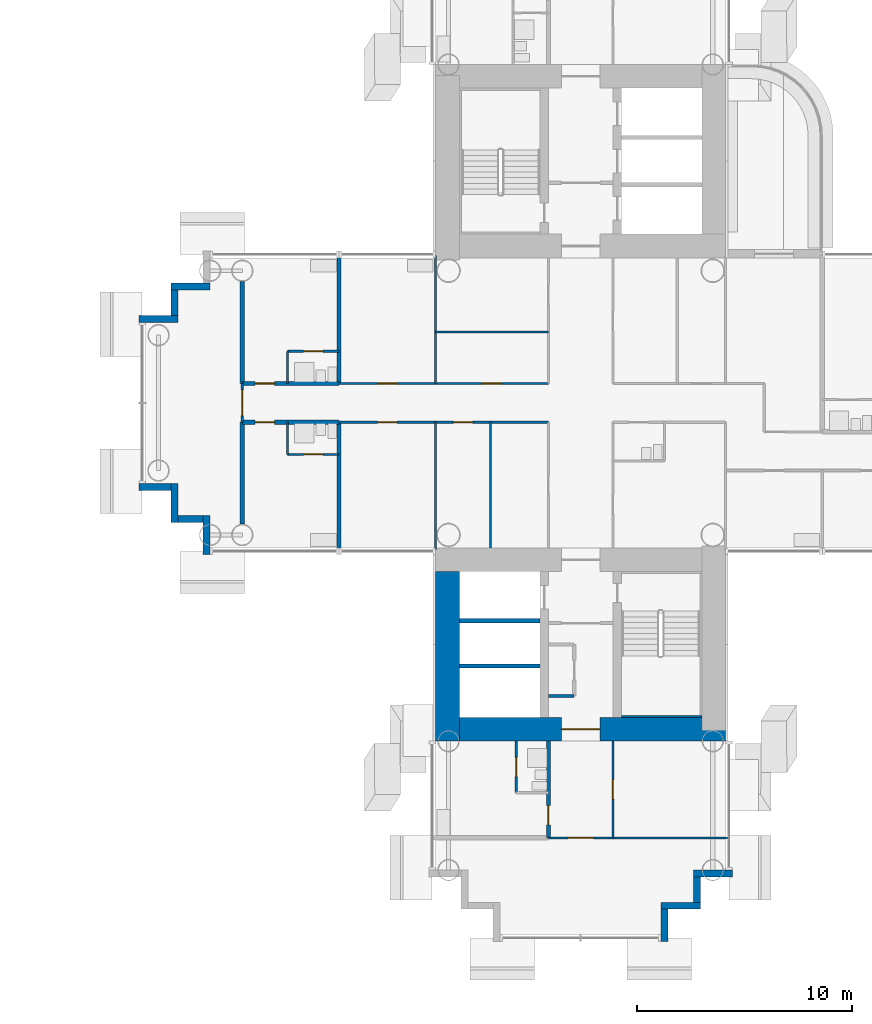
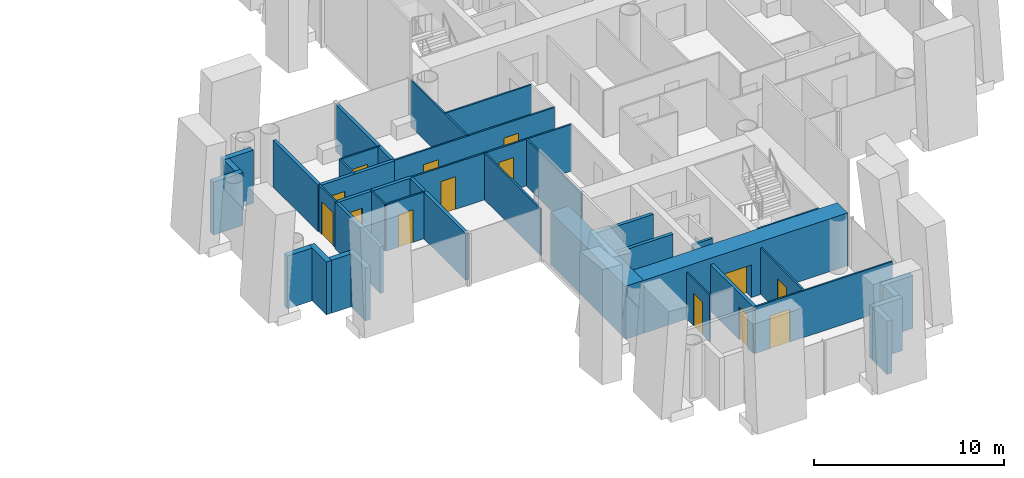
# One storey, part 14 of 24: 38 walls, 14 doors, 14 openings.
"""IFC4 building model written with IfcOpenShell, lengths in metres."""

from ifc_helpers import new_model, si_unit, direction, frame, frame_2d, origin, place, context, subcontext, project, spatial, rectangle, extrude, material, layer, layer_set, type_object, element, fill, save


model = new_model("IFC4")

# Units and contexts
model_context = context("Model", 3, precision=1e-05, world=origin(), true_north=direction((0.0, 1.0)))
body_context = subcontext(model_context, "Body", "Model", "MODEL_VIEW")
ifc_project = project(units=[si_unit("LENGTHUNIT", "METRE"), si_unit("AREAUNIT", "SQUARE_METRE"), si_unit("VOLUMEUNIT", "CUBIC_METRE"), si_unit("PLANEANGLEUNIT", "RADIAN"), si_unit("MASSUNIT", "GRAM", prefix="KILO")], contexts=[model_context])

# Site, building, storey
site_placement = place(None, origin())
site = spatial("IfcSite", under=ifc_project, at=site_placement, CompositionType="ELEMENT")
building_placement = place(site_placement, origin())
building = spatial("IfcBuilding", under=site, at=building_placement, Name="Ipe Terrace Towers", CompositionType="ELEMENT")
storey_placement = place(building_placement, frame((0.0, 0.0, 38.10009765625)))
storey = spatial("IfcBuildingStorey", under=building, at=storey_placement, Name="L09", CompositionType="ELEMENT", Elevation=38.10009765625)

# Walls
ifc_material_1 = material(Name="Concrete C40/50 with buff precast cladding", Category="concrete")
ifc_layer_1 = layer(ifc_material_1, 0.320068359375)
ifc_layer_set_1 = layer_set([ifc_layer_1], Name="BUFF CLADDING WALL 320")
wall_type_1 = type_object("IfcWallType", Name="BUFF CLADDING WALL 320", PredefinedType="STANDARD", material=ifc_layer_set_1)
wall_1_placement = place(storey_placement, frame((39.909912109375, -25.070068359375, -0.300048828125), z_axis=(0.0, 0.0, 1.0), x_axis=(0.0, 1.0, 0.0)))
element("IfcWall", 1, at=wall_1_placement, inside=storey, type_object=wall_type_1, Name="T2-W-L09-00a wall", PredefinedType="STANDARD", context=body_context, shape_type="SweptSolid", body=[
    extrude(rectangle(XDim=1.5, YDim=0.320068359375, at=frame_2d((0.75, 0.0))), origin(), (0.0, 0.0, 1.0), 3.39990234375),
])
wall_2_placement = place(storey_placement, frame((39.75, -23.409912109375, -0.300048828125), z_axis=(0.0, 0.0, 1.0), x_axis=(1.0, 0.0, 0.0)))
element("IfcWall", 2, at=wall_2_placement, inside=storey, type_object=wall_type_1, Name="T2-W-L09-01a wall", PredefinedType="STANDARD", context=body_context, shape_type="SweptSolid", body=[
    extrude(rectangle(XDim=1.820068359375, YDim=0.320068359375, at=frame_2d((0.91015625, 0.0))), origin(), (0.0, 0.0, 1.0), 3.39990234375),
])
wall_3_placement = place(storey_placement, frame((41.409912109375, -23.25, -0.300048828125), z_axis=(0.0, 0.0, 1.0), x_axis=(0.0, 1.0, 0.0)))
element("IfcWall", 3, at=wall_3_placement, inside=storey, type_object=wall_type_1, Name="T2-W-L09-02a wall", PredefinedType="STANDARD", context=body_context, shape_type="SweptSolid", body=[
    extrude(rectangle(XDim=1.179931640625, YDim=0.320068359375, at=frame_2d((0.58984375, 0.0))), origin(), (0.0, 0.0, 1.0), 3.39990234375),
])
for number, where, z_axis, x_axis, name in (
    (4, (41.25, -21.909912109375, -0.300048828125), (0.0, 0.0, 1.0), (1.0, 0.0, 0.0), "T2-W-L09-03a wall"),
    (5, (18.75, 5.409912109375, -0.300048828125), (0.0, 0.0, 1.0), (-1.0, 0.0, 0.0), "T2-W-L09-35a wall"),
):
    element("IfcWall", number, at=place(storey_placement, frame(where, z_axis=z_axis, x_axis=x_axis)), inside=storey, type_object=wall_type_1, Name=name, PredefinedType="STANDARD", context=body_context, shape_type="SweptSolid", body=[
        extrude(rectangle(XDim=1.820068359375, YDim=0.320068359375, at=frame_2d((0.91015625, 0.0))), origin(), (0.0, 0.0, 1.0), 3.39990234375),
    ])
wall_4_placement = place(storey_placement, frame((17.090087890625, 5.25, -0.300048828125), z_axis=(0.0, 0.0, 1.0), x_axis=(0.0, -1.0, 0.0)))
element("IfcWall", 6, at=wall_4_placement, inside=storey, type_object=wall_type_1, Name="T2-W-L09-36a wall", PredefinedType="STANDARD", context=body_context, shape_type="SweptSolid", body=[
    extrude(rectangle(XDim=1.179931640625, YDim=0.320068359375, at=frame_2d((0.58984375, 0.0))), origin(), (0.0, 0.0, 1.0), 3.39990234375),
])
wall_5_placement = place(storey_placement, frame((17.25, 3.909912109375, -0.300048828125), z_axis=(0.0, 0.0, 1.0), x_axis=(-1.0, 0.0, 0.0)))
element("IfcWall", 7, at=wall_5_placement, inside=storey, type_object=wall_type_1, Name="T2-W-L09-37a wall", PredefinedType="STANDARD", context=body_context, shape_type="SweptSolid", body=[
    extrude(rectangle(XDim=1.820068359375, YDim=0.320068359375, at=frame_2d((0.91015625, 0.0))), origin(), (0.0, 0.0, 1.0), 3.39990234375),
])
wall_6_placement = place(storey_placement, frame((15.429931640625, -3.909912109375, -0.300048828125), z_axis=(0.0, 0.0, 1.0), x_axis=(1.0, 0.0, 0.0)))
element("IfcWall", 8, at=wall_6_placement, inside=storey, type_object=wall_type_1, Name="T2-W-L09-39a wall", PredefinedType="STANDARD", context=body_context, shape_type="SweptSolid", body=[
    extrude(rectangle(XDim=1.5, YDim=0.320068359375, at=frame_2d((0.75, 0.0))), origin(), (0.0, 0.0, 1.0), 3.39990234375),
])
wall_7_placement = place(storey_placement, frame((17.090087890625, -3.75, -0.300048828125), z_axis=(0.0, 0.0, 1.0), x_axis=(0.0, -1.0, 0.0)))
element("IfcWall", 9, at=wall_7_placement, inside=storey, type_object=wall_type_1, Name="T2-W-L09-40a wall", PredefinedType="STANDARD", context=body_context, shape_type="SweptSolid", body=[
    extrude(rectangle(XDim=1.820068359375, YDim=0.320068359375, at=frame_2d((0.91015625, 0.0))), origin(), (0.0, 0.0, 1.0), 3.39990234375),
])
wall_8_placement = place(storey_placement, frame((17.25, -5.409912109375, -0.300048828125), z_axis=(0.0, 0.0, 1.0), x_axis=(1.0, 0.0, 0.0)))
element("IfcWall", 10, at=wall_8_placement, inside=storey, type_object=wall_type_1, Name="T2-W-L09-41a wall", PredefinedType="STANDARD", context=body_context, shape_type="SweptSolid", body=[
    extrude(rectangle(XDim=1.179931640625, YDim=0.320068359375, at=frame_2d((0.58984375, 0.0))), origin(), (0.0, 0.0, 1.0), 3.39990234375),
])
wall_9_placement = place(storey_placement, frame((18.590087890625, -5.25, -0.300048828125), z_axis=(0.0, 0.0, 1.0), x_axis=(0.0, -1.0, 0.0)))
element("IfcWall", 11, at=wall_9_placement, inside=storey, type_object=wall_type_1, Name="T2-W-L09-42a wall", PredefinedType="STANDARD", context=body_context, shape_type="SweptSolid", body=[
    extrude(rectangle(XDim=1.820068359375, YDim=0.320068359375, at=frame_2d((0.91015625, 0.0))), origin(), (0.0, 0.0, 1.0), 3.39990234375),
])

# Wall, opening, door
ifc_material_2 = material(Name="Gypsum board partition", Category="plasterboard")
ifc_layer_2 = layer(ifc_material_2, 0.10009765625)
ifc_layer_set_2 = layer_set([ifc_layer_2], Name="Gypsum board partition 100 mm")
wall_type_2 = type_object("IfcWallType", Name="Gypsum board partition 100 mm", PredefinedType="PARTITIONING", material=ifc_layer_set_2)
wall_10_placement = place(storey_placement, frame((42.85009765625, -20.25, 0.0), z_axis=(0.0, 0.0, 1.0), x_axis=(-1.0, 0.0, 0.0)))
wall_10 = element("IfcWall", 12, at=wall_10_placement, inside=storey, type_object=wall_type_2, Name="Gypsum board partition T2 L09 W01", PredefinedType="PARTITIONING", context=body_context, shape_type="SweptSolid", body=[
    extrude(rectangle(XDim=8.35009765625, YDim=0.10009765625, at=frame_2d((4.175048828125, 0.0))), origin(), (0.0, 0.0, 1.0), 3.0),
])
opening_1_placement = place(wall_10_placement, frame((6.25, 0.0, 0.0)))
opening_1 = element("IfcOpeningElement", 13, at=opening_1_placement, cuts=wall_10, Name="Opening T2-Z1B-33", PredefinedType="OPENING", context=body_context, shape_type="SweptSolid", body=[
    extrude(rectangle(XDim=1.199951171875, YDim=2.10009765625, at=frame_2d((0.60009765625, 1.050048828125))), frame((0.0, 0.06005859375, 0.0), z_axis=(0.0, -1.0, 0.0), x_axis=(1.0, 0.0, 0.0)), (0.0, 0.0, 1.0), 0.1201171875),
])
ifc_material_3 = material(Name="Timber door leaf", Category="wood")
door_type_1 = type_object("IfcDoorType", Name="Lounge door 1200 x 2100", OperationType="NOTDEFINED", PredefinedType="DOOR", material=ifc_material_3)
door_1_placement = place(opening_1_placement, origin())
door_1 = element("IfcDoor", 14, at=door_1_placement, inside=storey, type_object=door_type_1, Name="Lounge door T2-Z1B-33", OperationType="SINGLE_SWING_LEFT", OverallHeight=2.10009765625, OverallWidth=1.199951171875, PredefinedType="DOOR", context=body_context, shape_type="SweptSolid", body=[
    extrude(rectangle(XDim=1.199951171875, YDim=2.10009765625, at=frame_2d((0.60009765625, 1.050048828125))), frame((0.0, 0.02490234375, 0.0), z_axis=(0.0, -1.0, 0.0), x_axis=(1.0, 0.0, 0.0)), (0.0, 0.0, 1.0), 0.050048828125),
])
fill(opening_1, door_1)

wall_11_placement = place(storey_placement, frame((24.75, -2.39990234375, 0.0), z_axis=(0.0, 0.0, 1.0), x_axis=(-1.0, 0.0, 0.0)))
wall_11 = element("IfcWall", 15, at=wall_11_placement, inside=storey, type_object=wall_type_2, Name="Gypsum board partition T2 L09 W06", PredefinedType="PARTITIONING", context=body_context, shape_type="SweptSolid", body=[
    extrude(rectangle(XDim=2.39990234375, YDim=0.10009765625, at=frame_2d((1.199951171875, 0.0))), origin(), (0.0, 0.0, 1.0), 3.0),
])
opening_2_placement = place(wall_11_placement, frame((0.75, 0.0, 0.0)))
opening_2 = element("IfcOpeningElement", 16, at=opening_2_placement, cuts=wall_11, Name="Opening T2-Z1B-11", PredefinedType="OPENING", context=body_context, shape_type="SweptSolid", body=[
    extrude(rectangle(XDim=0.89990234375, YDim=2.10009765625, at=frame_2d((0.449951171875, 1.050048828125))), frame((0.0, 0.06005859375, 0.0), z_axis=(0.0, -1.0, 0.0), x_axis=(1.0, 0.0, 0.0)), (0.0, 0.0, 1.0), 0.1201171875),
])
ifc_material_4 = material(Name="Timber door leaf", Category="wood")
door_type_2 = type_object("IfcDoorType", Name="Bathroom door 900 x 2100", OperationType="NOTDEFINED", PredefinedType="DOOR", material=ifc_material_4)
door_2_placement = place(opening_2_placement, origin())
door_2 = element("IfcDoor", 17, at=door_2_placement, inside=storey, type_object=door_type_2, Name="Bathroom door T2-Z1B-11", OperationType="SINGLE_SWING_LEFT", OverallHeight=2.10009765625, OverallWidth=0.89990234375, PredefinedType="DOOR", context=body_context, shape_type="SweptSolid", body=[
    extrude(rectangle(XDim=0.89990234375, YDim=2.10009765625, at=frame_2d((0.449951171875, 1.050048828125))), frame((0.0, 0.02490234375, 0.0), z_axis=(0.0, -1.0, 0.0), x_axis=(1.0, 0.0, 0.0)), (0.0, 0.0, 1.0), 0.050048828125),
])
fill(opening_2, door_2)

# Wall, openings, doors
wall_12_placement = place(storey_placement, frame((34.5, -0.89990234375, 0.0), z_axis=(0.0, 0.0, 1.0), x_axis=(-1.0, 0.0, 0.0)))
wall_12 = element("IfcWall", 18, at=wall_12_placement, inside=storey, type_object=wall_type_2, Name="Gypsum board partition T2 L09 W10", PredefinedType="PARTITIONING", context=body_context, shape_type="SweptSolid", body=[
    extrude(rectangle(XDim=9.75, YDim=0.10009765625, at=frame_2d((4.875, 0.0))), origin(), (0.0, 0.0, 1.0), 3.0),
])
opening_3_placement = place(wall_12_placement, frame((3.52490234375, 0.0, 0.0)))
opening_3 = element("IfcOpeningElement", 19, at=opening_3_placement, cuts=wall_12, Name="Opening T2-Z1B-05", PredefinedType="OPENING", context=body_context, shape_type="SweptSolid", body=[
    extrude(rectangle(XDim=0.89990234375, YDim=2.10009765625, at=frame_2d((0.449951171875, 1.050048828125))), frame((0.0, 0.06005859375, 0.0), z_axis=(0.0, -1.0, 0.0), x_axis=(1.0, 0.0, 0.0)), (0.0, 0.0, 1.0), 0.1201171875),
])
opening_4_placement = place(wall_12_placement, frame((7.050048828125, 0.0, 0.0)))
opening_4 = element("IfcOpeningElement", 20, at=opening_4_placement, cuts=wall_12, Name="Opening T2-Z1B-09", PredefinedType="OPENING", context=body_context, shape_type="SweptSolid", body=[
    extrude(rectangle(XDim=0.89990234375, YDim=2.10009765625, at=frame_2d((0.449951171875, 1.050048828125))), frame((0.0, 0.06005859375, 0.0), z_axis=(0.0, -1.0, 0.0), x_axis=(1.0, 0.0, 0.0)), (0.0, 0.0, 1.0), 0.1201171875),
])
ifc_material_5 = material(Name="Timber door leaf", Category="wood")
door_type_3 = type_object("IfcDoorType", Name="Lounge door 900 x 2100", OperationType="NOTDEFINED", PredefinedType="DOOR", material=ifc_material_5)
door_3_placement = place(opening_3_placement, origin())
door_3 = element("IfcDoor", 21, at=door_3_placement, inside=storey, type_object=door_type_3, Name="Lounge door T2-Z1B-05", OperationType="SINGLE_SWING_RIGHT", OverallHeight=2.10009765625, OverallWidth=0.89990234375, PredefinedType="DOOR", context=body_context, shape_type="SweptSolid", body=[
    extrude(rectangle(XDim=0.89990234375, YDim=2.10009765625, at=frame_2d((0.449951171875, 1.050048828125))), frame((0.0, 0.02490234375, 0.0), z_axis=(0.0, -1.0, 0.0), x_axis=(1.0, 0.0, 0.0)), (0.0, 0.0, 1.0), 0.050048828125),
])
fill(opening_3, door_3)
door_4_placement = place(opening_4_placement, origin())
door_4 = element("IfcDoor", 22, at=door_4_placement, inside=storey, type_object=door_type_3, Name="Lounge door T2-Z1B-09", OperationType="SINGLE_SWING_LEFT", OverallHeight=2.10009765625, OverallWidth=0.89990234375, PredefinedType="DOOR", context=body_context, shape_type="SweptSolid", body=[
    extrude(rectangle(XDim=0.89990234375, YDim=2.10009765625, at=frame_2d((0.449951171875, 1.050048828125))), frame((0.0, 0.02490234375, 0.0), z_axis=(0.0, -1.0, 0.0), x_axis=(1.0, 0.0, 0.0)), (0.0, 0.0, 1.0), 0.050048828125),
])
fill(opening_4, door_4)

wall_13_placement = place(storey_placement, frame((34.5, 0.89990234375, 0.0), z_axis=(0.0, 0.0, 1.0), x_axis=(-1.0, 0.0, 0.0)))
wall_13 = element("IfcWall", 23, at=wall_13_placement, inside=storey, type_object=wall_type_2, Name="Gypsum board partition T2 L09 W14", PredefinedType="PARTITIONING", context=body_context, shape_type="SweptSolid", body=[
    extrude(rectangle(XDim=9.75, YDim=0.10009765625, at=frame_2d((4.875, 0.0))), origin(), (0.0, 0.0, 1.0), 3.0),
])
opening_5_placement = place(wall_13_placement, frame((2.175048828125, 0.0, 0.0)))
opening_5 = element("IfcOpeningElement", 24, at=opening_5_placement, cuts=wall_13, Name="Opening T2-Z1B-02", PredefinedType="OPENING", context=body_context, shape_type="SweptSolid", body=[
    extrude(rectangle(XDim=0.89990234375, YDim=2.10009765625, at=frame_2d((0.449951171875, 1.050048828125))), frame((0.0, 0.06005859375, 0.0), z_axis=(0.0, -1.0, 0.0), x_axis=(1.0, 0.0, 0.0)), (0.0, 0.0, 1.0), 0.1201171875),
])
opening_6_placement = place(wall_13_placement, frame((7.050048828125, 0.0, 0.0)))
opening_6 = element("IfcOpeningElement", 25, at=opening_6_placement, cuts=wall_13, Name="Opening T2-Z1B-12", PredefinedType="OPENING", context=body_context, shape_type="SweptSolid", body=[
    extrude(rectangle(XDim=0.89990234375, YDim=2.10009765625, at=frame_2d((0.449951171875, 1.050048828125))), frame((0.0, 0.06005859375, 0.0), z_axis=(0.0, -1.0, 0.0), x_axis=(1.0, 0.0, 0.0)), (0.0, 0.0, 1.0), 0.1201171875),
])
door_5_placement = place(opening_5_placement, origin())
door_5 = element("IfcDoor", 26, at=door_5_placement, inside=storey, type_object=door_type_3, Name="Lounge door T2-Z1B-02", OperationType="SINGLE_SWING_LEFT", OverallHeight=2.10009765625, OverallWidth=0.89990234375, PredefinedType="DOOR", context=body_context, shape_type="SweptSolid", body=[
    extrude(rectangle(XDim=0.89990234375, YDim=2.10009765625, at=frame_2d((0.449951171875, 1.050048828125))), frame((0.0, 0.02490234375, 0.0), z_axis=(0.0, -1.0, 0.0), x_axis=(1.0, 0.0, 0.0)), (0.0, 0.0, 1.0), 0.050048828125),
])
fill(opening_5, door_5)
door_6_placement = place(opening_6_placement, origin())
door_6 = element("IfcDoor", 27, at=door_6_placement, inside=storey, type_object=door_type_3, Name="Lounge door T2-Z1B-12", OperationType="SINGLE_SWING_RIGHT", OverallHeight=2.10009765625, OverallWidth=0.89990234375, PredefinedType="DOOR", context=body_context, shape_type="SweptSolid", body=[
    extrude(rectangle(XDim=0.89990234375, YDim=2.10009765625, at=frame_2d((0.449951171875, 1.050048828125))), frame((0.0, 0.02490234375, 0.0), z_axis=(0.0, -1.0, 0.0), x_axis=(1.0, 0.0, 0.0)), (0.0, 0.0, 1.0), 0.050048828125),
])
fill(opening_6, door_6)

# Wall, opening, door
wall_14_placement = place(storey_placement, frame((24.75, 2.39990234375, 0.0), z_axis=(0.0, 0.0, 1.0), x_axis=(-1.0, 0.0, 0.0)))
wall_14 = element("IfcWall", 28, at=wall_14_placement, inside=storey, type_object=wall_type_2, Name="Gypsum board partition T2 L09 W16", PredefinedType="PARTITIONING", context=body_context, shape_type="SweptSolid", body=[
    extrude(rectangle(XDim=2.39990234375, YDim=0.10009765625, at=frame_2d((1.199951171875, 0.0))), origin(), (0.0, 0.0, 1.0), 3.0),
])
opening_7_placement = place(wall_14_placement, frame((0.75, 0.0, 0.0)))
opening_7 = element("IfcOpeningElement", 29, at=opening_7_placement, cuts=wall_14, Name="Opening T2-Z1B-14", PredefinedType="OPENING", context=body_context, shape_type="SweptSolid", body=[
    extrude(rectangle(XDim=0.89990234375, YDim=2.10009765625, at=frame_2d((0.449951171875, 1.050048828125))), frame((0.0, 0.06005859375, 0.0), z_axis=(0.0, -1.0, 0.0), x_axis=(1.0, 0.0, 0.0)), (0.0, 0.0, 1.0), 0.1201171875),
])
door_7_placement = place(opening_7_placement, origin())
door_7 = element("IfcDoor", 30, at=door_7_placement, inside=storey, type_object=door_type_2, Name="Bathroom door T2-Z1B-14", OperationType="SINGLE_SWING_RIGHT", OverallHeight=2.10009765625, OverallWidth=0.89990234375, PredefinedType="DOOR", context=body_context, shape_type="SweptSolid", body=[
    extrude(rectangle(XDim=0.89990234375, YDim=2.10009765625, at=frame_2d((0.449951171875, 1.050048828125))), frame((0.0, 0.02490234375, 0.0), z_axis=(0.0, -1.0, 0.0), x_axis=(1.0, 0.0, 0.0)), (0.0, 0.0, 1.0), 0.050048828125),
])
fill(opening_7, door_7)

# Wall
wall_15_placement = place(storey_placement, frame((34.5, 3.300048828125, 0.0), z_axis=(0.0, 0.0, 1.0), x_axis=(-1.0, 0.0, 0.0)))
element("IfcWall", 31, at=wall_15_placement, inside=storey, type_object=wall_type_2, Name="Gypsum board partition T2 L09 W17", PredefinedType="PARTITIONING", context=body_context, shape_type="SweptSolid", body=[
    extrude(rectangle(XDim=5.25, YDim=0.10009765625, at=frame_2d((2.625, 0.0))), origin(), (0.0, 0.0, 1.0), 3.0),
])

# Wall, opening, door
wall_16_placement = place(storey_placement, frame((37.5, -20.25, 0.0), z_axis=(0.0, 0.0, 1.0), x_axis=(0.0, 1.0, 0.0)))
wall_16 = element("IfcWall", 32, at=wall_16_placement, inside=storey, type_object=wall_type_2, Name="Gypsum board partition T2 L09 W32", PredefinedType="PARTITIONING", context=body_context, shape_type="SweptSolid", body=[
    extrude(rectangle(XDim=4.5, YDim=0.10009765625, at=frame_2d((2.25, 0.0))), origin(), (0.0, 0.0, 1.0), 3.0),
])
opening_8_placement = place(wall_16_placement, frame((1.800048828125, 0.0, 0.0)))
opening_8 = element("IfcOpeningElement", 33, at=opening_8_placement, cuts=wall_16, Name="Opening T2-Z1B-30", PredefinedType="OPENING", context=body_context, shape_type="SweptSolid", body=[
    extrude(rectangle(XDim=0.89990234375, YDim=2.10009765625, at=frame_2d((0.449951171875, 1.050048828125))), frame((0.0, 0.06005859375, 0.0), z_axis=(0.0, -1.0, 0.0), x_axis=(1.0, 0.0, 0.0)), (0.0, 0.0, 1.0), 0.1201171875),
])
door_8_placement = place(opening_8_placement, origin())
door_8 = element("IfcDoor", 34, at=door_8_placement, inside=storey, type_object=door_type_3, Name="Lounge door T2-Z1B-30", OperationType="SINGLE_SWING_RIGHT", OverallHeight=2.10009765625, OverallWidth=0.89990234375, PredefinedType="DOOR", context=body_context, shape_type="SweptSolid", body=[
    extrude(rectangle(XDim=0.89990234375, YDim=2.10009765625, at=frame_2d((0.449951171875, 1.050048828125))), frame((0.0, 0.02490234375, 0.0), z_axis=(0.0, -1.0, 0.0), x_axis=(1.0, 0.0, 0.0)), (0.0, 0.0, 1.0), 0.050048828125),
])
fill(opening_8, door_8)

wall_17_placement = place(storey_placement, frame((33.0, -18.14990234375, 0.0), z_axis=(0.0, 0.0, 1.0), x_axis=(0.0, 1.0, 0.0)))
wall_17 = element("IfcWall", 35, at=wall_17_placement, inside=storey, type_object=wall_type_2, Name="Gypsum board partition T2 L09 W42", PredefinedType="PARTITIONING", context=body_context, shape_type="SweptSolid", body=[
    extrude(rectangle(XDim=2.39990234375, YDim=0.10009765625, at=frame_2d((1.199951171875, 0.0))), origin(), (0.0, 0.0, 1.0), 3.0),
])
opening_9_placement = place(wall_17_placement, frame((0.75, 0.0, 0.0)))
opening_9 = element("IfcOpeningElement", 36, at=opening_9_placement, cuts=wall_17, Name="Opening T2-Z1B-32", PredefinedType="OPENING", context=body_context, shape_type="SweptSolid", body=[
    extrude(rectangle(XDim=0.89990234375, YDim=2.10009765625, at=frame_2d((0.449951171875, 1.050048828125))), frame((0.0, 0.06005859375, 0.0), z_axis=(0.0, -1.0, 0.0), x_axis=(1.0, 0.0, 0.0)), (0.0, 0.0, 1.0), 0.1201171875),
])
door_9_placement = place(opening_9_placement, origin())
door_9 = element("IfcDoor", 37, at=door_9_placement, inside=storey, type_object=door_type_2, Name="Bathroom door T2-Z1B-32", OperationType="SINGLE_SWING_RIGHT", OverallHeight=2.10009765625, OverallWidth=0.89990234375, PredefinedType="DOOR", context=body_context, shape_type="SweptSolid", body=[
    extrude(rectangle(XDim=0.89990234375, YDim=2.10009765625, at=frame_2d((0.449951171875, 1.050048828125))), frame((0.0, 0.02490234375, 0.0), z_axis=(0.0, -1.0, 0.0), x_axis=(1.0, 0.0, 0.0)), (0.0, 0.0, 1.0), 0.050048828125),
])
fill(opening_9, door_9)

# Walls
wall_18_placement = place(storey_placement, frame((31.800048828125, -6.75, 0.0), z_axis=(0.0, 0.0, 1.0), x_axis=(0.0, 1.0, 0.0)))
element("IfcWall", 38, at=wall_18_placement, inside=storey, type_object=wall_type_2, Name="Gypsum board partition T2 L09 W44", PredefinedType="PARTITIONING", context=body_context, shape_type="SweptSolid", body=[
    extrude(rectangle(XDim=5.85009765625, YDim=0.10009765625, at=frame_2d((2.925048828125, 0.0))), origin(), (0.0, 0.0, 1.0), 3.0),
])
for number, where, z_axis, x_axis, name in (
    (39, (29.25, -6.85009765625, 0.0), (0.0, 0.0, 1.0), (0.0, 1.0, 0.0), "Gypsum board partition T2 L09 W45"),
    (40, (29.25, 0.89990234375, 0.0), (0.0, 0.0, 1.0), (0.0, 1.0, 0.0), "Gypsum board partition T2 L09 W46"),
):
    element("IfcWall", number, at=place(storey_placement, frame(where, z_axis=z_axis, x_axis=x_axis)), inside=storey, type_object=wall_type_2, Name=name, PredefinedType="PARTITIONING", context=body_context, shape_type="SweptSolid", body=[
        extrude(rectangle(XDim=5.9501953125, YDim=0.10009765625, at=frame_2d((2.97509765625, 0.0))), origin(), (0.0, 0.0, 1.0), 3.0),
    ])
for number, where, z_axis, x_axis, name in (
    (41, (22.35009765625, -2.39990234375, 0.0), (0.0, 0.0, 1.0), (0.0, 1.0, 0.0), "Gypsum board partition T2 L09 W49"),
    (42, (22.35009765625, 0.89990234375, 0.0), (0.0, 0.0, 1.0), (0.0, 1.0, 0.0), "Gypsum board partition T2 L09 W50"),
):
    element("IfcWall", number, at=place(storey_placement, frame(where, z_axis=z_axis, x_axis=x_axis)), inside=storey, type_object=wall_type_2, Name=name, PredefinedType="PARTITIONING", context=body_context, shape_type="SweptSolid", body=[
        extrude(rectangle(XDim=1.5, YDim=0.10009765625, at=frame_2d((0.75, 0.0))), origin(), (0.0, 0.0, 1.0), 3.0),
    ])

# Wall, opening, door
wall_19_placement = place(storey_placement, frame((20.25, -0.89990234375, 0.0), z_axis=(0.0, 0.0, 1.0), x_axis=(0.0, 1.0, 0.0)))
wall_19 = element("IfcWall", 43, at=wall_19_placement, inside=storey, type_object=wall_type_2, Name="Gypsum board partition T2 L09 W51", PredefinedType="PARTITIONING", context=body_context, shape_type="SweptSolid", body=[
    extrude(rectangle(XDim=1.7998046875, YDim=0.10009765625, at=frame_2d((0.89990234375, 0.0))), origin(), (0.0, 0.0, 1.0), 3.0),
])
opening_10_placement = place(wall_19_placement, frame((0.300048828125, 0.0, 0.0)))
opening_10 = element("IfcOpeningElement", 44, at=opening_10_placement, cuts=wall_19, Name="Opening T2-Z1B-15", PredefinedType="OPENING", context=body_context, shape_type="SweptSolid", body=[
    extrude(rectangle(XDim=1.199951171875, YDim=2.10009765625, at=frame_2d((0.60009765625, 1.050048828125))), frame((0.0, 0.06005859375, 0.0), z_axis=(0.0, -1.0, 0.0), x_axis=(1.0, 0.0, 0.0)), (0.0, 0.0, 1.0), 0.1201171875),
])
door_10_placement = place(opening_10_placement, origin())
door_10 = element("IfcDoor", 45, at=door_10_placement, inside=storey, type_object=door_type_1, Name="Lounge door T2-Z1B-15", OperationType="SINGLE_SWING_LEFT", OverallHeight=2.10009765625, OverallWidth=1.199951171875, PredefinedType="DOOR", context=body_context, shape_type="SweptSolid", body=[
    extrude(rectangle(XDim=1.199951171875, YDim=2.10009765625, at=frame_2d((0.60009765625, 1.050048828125))), frame((0.0, 0.02490234375, 0.0), z_axis=(0.0, -1.0, 0.0), x_axis=(1.0, 0.0, 0.0)), (0.0, 0.0, 1.0), 0.050048828125),
])
fill(opening_10, door_10)

# Walls
ifc_material_6 = material(Name="Gypsum board partition", Category="plasterboard")
ifc_layer_3 = layer(ifc_material_6, 0.14990234375)
ifc_layer_set_3 = layer_set([ifc_layer_3], Name="Gypsum board partition 150 mm")
wall_type_3 = type_object("IfcWallType", Name="Gypsum board partition 150 mm", PredefinedType="PARTITIONING", material=ifc_layer_set_3)
wall_20_placement = place(storey_placement, frame((35.699951171875, -13.64990234375, 0.0), z_axis=(0.0, 0.0, 1.0), x_axis=(-1.0, 0.0, 0.0)))
element("IfcWall", 46, at=wall_20_placement, inside=storey, type_object=wall_type_3, Name="Gypsum board partition T2 L09 t2c2-cup-s-b", PredefinedType="PARTITIONING", context=body_context, shape_type="SweptSolid", body=[
    extrude(rectangle(XDim=1.199951171875, YDim=0.14990234375, at=frame_2d((0.60009765625, 0.0))), origin(), (0.0, 0.0, 1.0), 3.0),
])
ifc_material_7 = material(Name="Gypsum board party wall", Category="plasterboard")
ifc_layer_4 = layer(ifc_material_7, 0.199951171875)
ifc_layer_set_4 = layer_set([ifc_layer_4], Name="Gypsum board party wall 200 mm")
wall_type_4 = type_object("IfcWallType", Name="Gypsum board party wall 200 mm", PredefinedType="SOLIDWALL", material=ifc_layer_set_4)
for number, where, z_axis, x_axis, name in (
    (47, (30.35009765625, -10.14990234375, 0.0), (0.0, 0.0, 1.0), (1.0, 0.0, 0.0), "Gypsum board party wall T2 L09 t2c2-shaft-div1"),
    (48, (30.35009765625, -12.25, 0.0), (0.0, 0.0, 1.0), (1.0, 0.0, 0.0), "Gypsum board party wall T2 L09 t2c2-shaft-div2"),
):
    element("IfcWall", number, at=place(storey_placement, frame(where, z_axis=z_axis, x_axis=x_axis)), inside=storey, type_object=wall_type_4, Name=name, PredefinedType="SOLIDWALL", context=body_context, shape_type="SweptSolid", body=[
        extrude(rectangle(XDim=3.75, YDim=0.199951171875, at=frame_2d((1.875, 0.0))), origin(), (0.0, 0.0, 1.0), 3.0),
    ])

# Wall, opening, door
wall_21_placement = place(storey_placement, frame((24.75, -0.89990234375, 0.0), z_axis=(0.0, 0.0, 1.0), x_axis=(-1.0, 0.0, 0.0)))
wall_21 = element("IfcWall", 49, at=wall_21_placement, inside=storey, type_object=wall_type_4, Name="Gypsum board party wall T2 L09 W11", PredefinedType="SOLIDWALL", context=body_context, shape_type="SweptSolid", body=[
    extrude(rectangle(XDim=4.5, YDim=0.199951171875, at=frame_2d((2.25, 0.0))), origin(), (0.0, 0.0, 1.0), 3.0),
])
opening_11_placement = place(wall_21_placement, frame((3.0, 0.0, 0.0)))
opening_11 = element("IfcOpeningElement", 50, at=opening_11_placement, cuts=wall_21, Name="Opening T2-Z1B-10", PredefinedType="OPENING", context=body_context, shape_type="SweptSolid", body=[
    extrude(rectangle(XDim=0.89990234375, YDim=2.10009765625, at=frame_2d((0.449951171875, 1.050048828125))), frame((0.0, 0.10986328125, 0.0), z_axis=(0.0, -1.0, 0.0), x_axis=(1.0, 0.0, 0.0)), (0.0, 0.0, 1.0), 0.219970703125),
])
ifc_material_8 = material(Name="Fire-rated timber door leaf", Category="wood")
door_type_4 = type_object("IfcDoorType", Name="Flat entrance door 900 x 2100 FD30S", OperationType="NOTDEFINED", PredefinedType="DOOR", material=ifc_material_8)
door_11_placement = place(opening_11_placement, origin())
door_11 = element("IfcDoor", 51, at=door_11_placement, inside=storey, type_object=door_type_4, Name="Flat entrance door T2-Z1B-10", OperationType="SINGLE_SWING_LEFT", OverallHeight=2.10009765625, OverallWidth=0.89990234375, PredefinedType="DOOR", context=body_context, shape_type="SweptSolid", body=[
    extrude(rectangle(XDim=0.89990234375, YDim=2.10009765625, at=frame_2d((0.449951171875, 1.050048828125))), frame((0.0, 0.02490234375, 0.0), z_axis=(0.0, -1.0, 0.0), x_axis=(1.0, 0.0, 0.0)), (0.0, 0.0, 1.0), 0.050048828125),
])
fill(opening_11, door_11)

wall_22_placement = place(storey_placement, frame((24.75, 0.89990234375, 0.0), z_axis=(0.0, 0.0, 1.0), x_axis=(-1.0, 0.0, 0.0)))
wall_22 = element("IfcWall", 52, at=wall_22_placement, inside=storey, type_object=wall_type_4, Name="Gypsum board party wall T2 L09 W15", PredefinedType="SOLIDWALL", context=body_context, shape_type="SweptSolid", body=[
    extrude(rectangle(XDim=4.5, YDim=0.199951171875, at=frame_2d((2.25, 0.0))), origin(), (0.0, 0.0, 1.0), 3.0),
])
opening_12_placement = place(wall_22_placement, frame((3.0, 0.0, 0.0)))
opening_12 = element("IfcOpeningElement", 53, at=opening_12_placement, cuts=wall_22, Name="Opening T2-Z1B-13", PredefinedType="OPENING", context=body_context, shape_type="SweptSolid", body=[
    extrude(rectangle(XDim=0.89990234375, YDim=2.10009765625, at=frame_2d((0.449951171875, 1.050048828125))), frame((0.0, 0.10986328125, 0.0), z_axis=(0.0, -1.0, 0.0), x_axis=(1.0, 0.0, 0.0)), (0.0, 0.0, 1.0), 0.219970703125),
])
door_12_placement = place(opening_12_placement, origin())
door_12 = element("IfcDoor", 54, at=door_12_placement, inside=storey, type_object=door_type_4, Name="Flat entrance door T2-Z1B-13", OperationType="SINGLE_SWING_RIGHT", OverallHeight=2.10009765625, OverallWidth=0.89990234375, PredefinedType="DOOR", context=body_context, shape_type="SweptSolid", body=[
    extrude(rectangle(XDim=0.89990234375, YDim=2.10009765625, at=frame_2d((0.449951171875, 1.050048828125))), frame((0.0, 0.02490234375, 0.0), z_axis=(0.0, -1.0, 0.0), x_axis=(1.0, 0.0, 0.0)), (0.0, 0.0, 1.0), 0.050048828125),
])
fill(opening_12, door_12)

wall_23_placement = place(storey_placement, frame((34.5, -20.25, 0.0), z_axis=(0.0, 0.0, 1.0), x_axis=(0.0, 1.0, 0.0)))
wall_23 = element("IfcWall", 55, at=wall_23_placement, inside=storey, type_object=wall_type_4, Name="Gypsum board party wall T2 L09 W39", PredefinedType="SOLIDWALL", context=body_context, shape_type="SweptSolid", body=[
    extrude(rectangle(XDim=4.5, YDim=0.199951171875, at=frame_2d((2.25, 0.0))), origin(), (0.0, 0.0, 1.0), 3.0),
])
opening_13_placement = place(wall_23_placement, frame((0.60009765625, 0.0, 0.0)))
opening_13 = element("IfcOpeningElement", 56, at=opening_13_placement, cuts=wall_23, Name="Opening T2-Z1B-31", PredefinedType="OPENING", context=body_context, shape_type="SweptSolid", body=[
    extrude(rectangle(XDim=0.89990234375, YDim=2.10009765625, at=frame_2d((0.449951171875, 1.050048828125))), frame((0.0, 0.10986328125, 0.0), z_axis=(0.0, -1.0, 0.0), x_axis=(1.0, 0.0, 0.0)), (0.0, 0.0, 1.0), 0.219970703125),
])
door_13_placement = place(opening_13_placement, origin())
door_13 = element("IfcDoor", 57, at=door_13_placement, inside=storey, type_object=door_type_4, Name="Flat entrance door T2-Z1B-31", OperationType="SINGLE_SWING_RIGHT", OverallHeight=2.10009765625, OverallWidth=0.89990234375, PredefinedType="DOOR", context=body_context, shape_type="SweptSolid", body=[
    extrude(rectangle(XDim=0.89990234375, YDim=2.10009765625, at=frame_2d((0.449951171875, 1.050048828125))), frame((0.0, 0.02490234375, 0.0), z_axis=(0.0, -1.0, 0.0), x_axis=(1.0, 0.0, 0.0)), (0.0, 0.0, 1.0), 0.050048828125),
])
fill(opening_13, door_13)

# Walls
for number, where, z_axis, x_axis, name in (
    (58, (24.75, -6.85009765625, 0.0), (0.0, 0.0, 1.0), (0.0, 1.0, 0.0), "Gypsum board party wall T2 L09 W47"),
    (59, (24.75, 0.89990234375, 0.0), (0.0, 0.0, 1.0), (0.0, 1.0, 0.0), "Gypsum board party wall T2 L09 W48"),
):
    element("IfcWall", number, at=place(storey_placement, frame(where, z_axis=z_axis, x_axis=x_axis)), inside=storey, type_object=wall_type_4, Name=name, PredefinedType="SOLIDWALL", context=body_context, shape_type="SweptSolid", body=[
        extrude(rectangle(XDim=5.9501953125, YDim=0.199951171875, at=frame_2d((2.97509765625, 0.0))), origin(), (0.0, 0.0, 1.0), 3.0),
    ])
for number, where, z_axis, x_axis, name in (
    (60, (20.25, -5.64990234375, 0.0), (0.0, 0.0, 1.0), (0.0, 1.0, 0.0), "Gypsum board party wall T2 L09 W52"),
    (61, (20.25, 0.89990234375, 0.0), (0.0, 0.0, 1.0), (0.0, 1.0, 0.0), "Gypsum board party wall T2 L09 W53"),
):
    element("IfcWall", number, at=place(storey_placement, frame(where, z_axis=z_axis, x_axis=x_axis)), inside=storey, type_object=wall_type_4, Name=name, PredefinedType="SOLIDWALL", context=body_context, shape_type="SweptSolid", body=[
        extrude(rectangle(XDim=4.75, YDim=0.199951171875, at=frame_2d((2.375, 0.0))), origin(), (0.0, 0.0, 1.0), 3.0),
    ])
ifc_material_9 = material(Name="Concrete C60/75", Category="concrete")
ifc_layer_5 = layer(ifc_material_9, 0.10009765625)
ifc_layer_set_5 = layer_set([ifc_layer_5], Name="RW100 CORE INFILL WALL 100 C60-75")
wall_type_5 = type_object("IfcWallType", Name="RW100 CORE INFILL WALL 100 C60-75", PredefinedType="SHEAR", material=ifc_layer_set_5)
wall_24_placement = place(storey_placement, frame((37.89990234375, -14.60009765625, 0.0), z_axis=(0.0, 0.0, 1.0), x_axis=(1.0, 0.0, 0.0)))
element("IfcWall", 62, at=wall_24_placement, inside=storey, type_object=wall_type_5, Name="Core infill wall T2-C2-far", PredefinedType="SHEAR", context=body_context, shape_type="SweptSolid", body=[
    extrude(rectangle(XDim=3.75, YDim=0.10009765625, at=frame_2d((1.875, 0.0))), origin(), (0.0, 0.0, 1.0), 3.39990234375),
])

# Wall, opening, door
ifc_material_10 = material(Name="Concrete C60/75", Category="concrete")
ifc_layer_6 = layer(ifc_material_10, 1.10009765625)
ifc_layer_set_6 = layer_set([ifc_layer_6], Name="RW1100 CORE WALL 1100 C60-75")
wall_type_6 = type_object("IfcWallType", Name="RW1100 CORE WALL 1100 C60-75", PredefinedType="SHEAR", material=ifc_layer_set_6)
wall_25_placement = place(storey_placement, frame((30.35009765625, -15.199951171875, 0.0), z_axis=(0.0, 0.0, 1.0), x_axis=(1.0, 0.0, 0.0)))
wall_25 = element("IfcWall", 63, at=wall_25_placement, inside=storey, type_object=wall_type_6, Name="Core wall T2-C2-Z1-W01", PredefinedType="SHEAR", context=body_context, shape_type="SweptSolid", body=[
    extrude(rectangle(XDim=12.39990234375, YDim=1.10009765625, at=frame_2d((6.199951171875, 0.0))), origin(), (0.0, 0.0, 1.0), 3.39990234375),
])
opening_14_placement = place(wall_25_placement, frame((4.75, 0.0, 0.0)))
opening_14 = element("IfcOpeningElement", 64, at=opening_14_placement, cuts=wall_25, Name="Opening T2C2-FD", PredefinedType="OPENING", context=body_context, shape_type="SweptSolid", body=[
    extrude(rectangle(XDim=1.800048828125, YDim=2.10009765625, at=frame_2d((0.89990234375, 1.050048828125))), frame((0.0, 0.56005859375, 0.0), z_axis=(0.0, -1.0, 0.0), x_axis=(1.0, 0.0, 0.0)), (0.0, 0.0, 1.0), 1.1201171875),
])
ifc_material_11 = material(Name="Fire-rated timber door leaf", Category="wood")
door_type_5 = type_object("IfcDoorType", Name="Fire door 1800 x 2100 FD30S", OperationType="NOTDEFINED", PredefinedType="DOOR", material=ifc_material_11)
door_14_placement = place(opening_14_placement, origin())
door_14 = element("IfcDoor", 65, at=door_14_placement, inside=storey, type_object=door_type_5, Name="Fire door T2C2-FD", OperationType="SINGLE_SWING_LEFT", OverallHeight=2.10009765625, OverallWidth=1.800048828125, PredefinedType="DOOR", context=body_context, shape_type="SweptSolid", body=[
    extrude(rectangle(XDim=1.800048828125, YDim=2.10009765625, at=frame_2d((0.89990234375, 1.050048828125))), frame((0.0, 0.02490234375, 0.0), z_axis=(0.0, -1.0, 0.0), x_axis=(1.0, 0.0, 0.0)), (0.0, 0.0, 1.0), 0.050048828125),
])
fill(opening_14, door_14)

# Wall
wall_26_placement = place(storey_placement, frame((29.800048828125, -7.85009765625, 0.0), z_axis=(0.0, 0.0, 1.0), x_axis=(0.0, -1.0, 0.0)))
element("IfcWall", 66, at=wall_26_placement, inside=storey, type_object=wall_type_6, Name="Core wall T2-C2-Z1-W04", PredefinedType="SHEAR", context=body_context, shape_type="SweptSolid", body=[
    extrude(rectangle(XDim=7.89990234375, YDim=1.10009765625, at=frame_2d((3.949951171875, 0.0))), origin(), (0.0, 0.0, 1.0), 3.39990234375),
])

save(model, "model.ifc")
